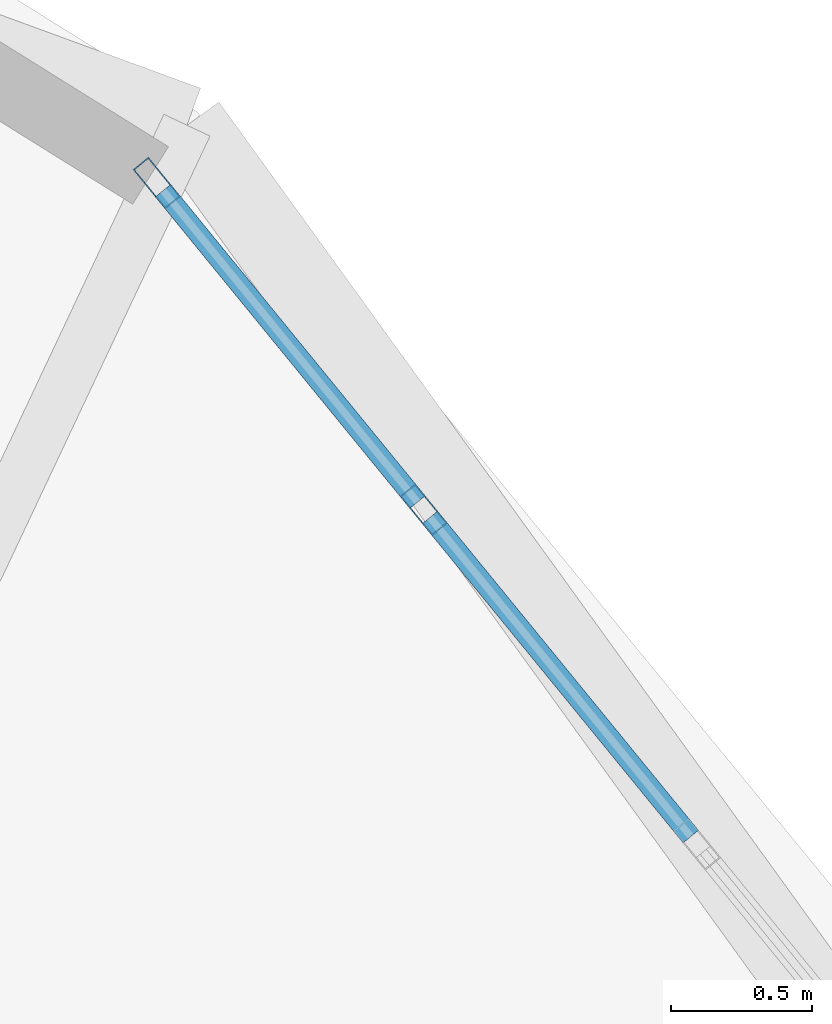
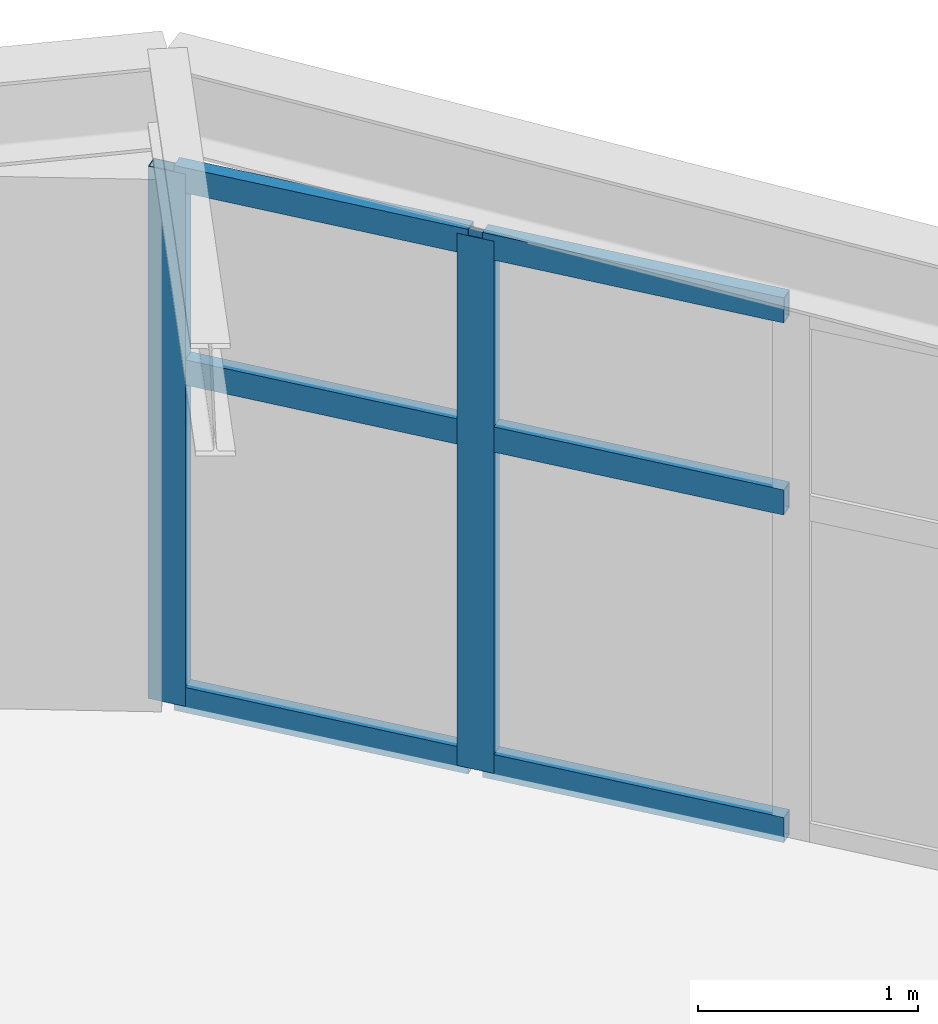
# One storey, part 5 of 17: 8 members, 1 element without a shape of its own.
"""IFC4 building model written with IfcOpenShell, lengths in metres."""

from ifc_helpers import new_model, si_unit, direction, frame, origin, origin_2d, place, context, subcontext, project, spatial, hollow_rectangle, extrude, material, layer, layer_set, material_profile, profile_set, type_object, element, aggregate, save


model = new_model("IFC4")

# Units and contexts
model_context = context("Model", 3, precision=1e-05, world=origin(), true_north=direction((0.0, 1.0)))
body_context = subcontext(model_context, "Body", "Model", "MODEL_VIEW")
ifc_project = project(units=[si_unit("LENGTHUNIT", "METRE"), si_unit("AREAUNIT", "SQUARE_METRE"), si_unit("VOLUMEUNIT", "CUBIC_METRE"), si_unit("PLANEANGLEUNIT", "RADIAN"), si_unit("MASSUNIT", "GRAM", prefix="KILO")], contexts=[model_context])

# Site, building, storey
site_placement = place(None, origin())
site = spatial("IfcSite", under=ifc_project, at=site_placement, CompositionType="ELEMENT")
building_placement = place(site_placement, origin())
building = spatial("IfcBuilding", under=site, at=building_placement, Name="Cununo Teusaquillo Station Towers", CompositionType="ELEMENT")
storey_placement = place(building_placement, frame((0.0, 0.0, 125.43994140625)))
storey = spatial("IfcBuildingStorey", under=building, at=storey_placement, Name="L40", CompositionType="ELEMENT", Elevation=125.43994140625)

# Curtain wall, members
ifc_material_1 = material(Name="Ceramic-fritted dark low-E double glazing", Category="glass")
ifc_layer = layer(ifc_material_1, 0.179931640625)
ifc_layer_set = layer_set([ifc_layer], Name="Ceramic-fritted dark low-E double glazing")
curtain_wall_type = type_object("IfcCurtainWallType", Name="CW-SYS-04", PredefinedType="USERDEFINED", material=ifc_layer_set)
curtain_wall_placement = place(storey_placement, origin())
curtain_wall = element("IfcCurtainWall", 1, at=curtain_wall_placement, inside=storey, type_object=curtain_wall_type, Name="L40 Tower A Facade Curtain Wall C02", ObjectType="FRITTED GLAZING", PredefinedType="USERDEFINED")
ifc_material_2 = material(Name="Anodised dark bronze aluminium EN AW-6063-T6", Category="aluminium")
ifc_material_profile_1 = material_profile(ifc_material_2, hollow_rectangle(XDim=0.070068359375, YDim=0.179931640625, WallThickness=0.00390625, at=origin_2d()), Name="CW-MULL-70x180")
ifc_profile_set_1 = profile_set([ifc_material_profile_1], Name="Anodised dark bronze aluminium EN AW-6063-T6")
member_type_1 = type_object("IfcMemberType", Name="CWM-180", PredefinedType="MULLION", material=ifc_profile_set_1)
member_1_placement = place(storey_placement, frame((25.680419921875, 39.90087890625, 0.0), z_axis=(0.0, 0.0, 1.0), x_axis=(0.774394127889, 0.63270351247, 0.0)))
member_1 = element("IfcMember", 2, at=member_1_placement, type_object=member_type_1, Name="CW-04 mullion 1", PredefinedType="MULLION", context=body_context, shape_type="SweptSolid", body=[
    extrude(hollow_rectangle(XDim=0.070068359375, YDim=0.179931640625, WallThickness=0.00390625, at=origin_2d()), origin(), (0.0, 0.0, 1.0), 2.948974609375),
])
member_2_placement = place(storey_placement, frame((26.6279296875, 38.7412109375, 0.0), z_axis=(0.0, 0.0, 1.0), x_axis=(0.774394127889, 0.63270351247, 0.0)))
member_2 = element("IfcMember", 3, at=member_2_placement, type_object=member_type_1, Name="CW-04 mullion 2", PredefinedType="MULLION", context=body_context, shape_type="SweptSolid", body=[
    extrude(hollow_rectangle(XDim=0.070068359375, YDim=0.179931640625, WallThickness=0.00390625, at=origin_2d()), origin(), (0.0, 0.0, 1.0), 2.948974609375),
])
ifc_material_3 = material(Name="Anodised dark bronze aluminium EN AW-6063-T6", Category="aluminium")
ifc_material_profile_2 = material_profile(ifc_material_3, hollow_rectangle(XDim=0.070068359375, YDim=0.139892578125, WallThickness=0.00390625, at=origin_2d()), Name="CW-TRAN-70x140")
ifc_profile_set_2 = profile_set([ifc_material_profile_2], Name="Anodised dark bronze aluminium EN AW-6063-T6")
member_type_2 = type_object("IfcMemberType", Name="CWT-140", PredefinedType="USERDEFINED", material=ifc_profile_set_2)
member_3_placement = place(storey_placement, frame((25.70263671875, 39.873779296875, 0.03515625), z_axis=(0.632753407608, -0.774353359365, 0.0), x_axis=(0.774353359365, 0.632753407608, 0.0)))
member_3 = element("IfcMember", 4, at=member_3_placement, type_object=member_type_2, Name="CW-04 transom 1.1", ObjectType="TRANSOM", PredefinedType="USERDEFINED", context=body_context, shape_type="SweptSolid", body=[
    extrude(hollow_rectangle(XDim=0.070068359375, YDim=0.139892578125, WallThickness=0.00390625, at=origin_2d()), origin(), (0.0, 0.0, 1.0), 1.427490234375),
])
member_4_placement = place(storey_placement, frame((25.70263671875, 39.873779296875, 1.85009765625), z_axis=(0.632753407608, -0.774353359365, 0.0), x_axis=(0.774353359365, 0.632753407608, 0.0)))
member_4 = element("IfcMember", 5, at=member_4_placement, type_object=member_type_2, Name="CW-04 transom 1.2", ObjectType="TRANSOM", PredefinedType="USERDEFINED", context=body_context, shape_type="SweptSolid", body=[
    extrude(hollow_rectangle(XDim=0.070068359375, YDim=0.139892578125, WallThickness=0.00390625, at=origin_2d()), origin(), (0.0, 0.0, 1.0), 1.427490234375),
])
member_5_placement = place(storey_placement, frame((25.70263671875, 39.873779296875, 2.9140625), z_axis=(0.632753407608, -0.774353359365, 0.0), x_axis=(0.774353359365, 0.632753407608, 0.0)))
member_5 = element("IfcMember", 6, at=member_5_placement, type_object=member_type_2, Name="CW-04 transom 1.3", ObjectType="TRANSOM", PredefinedType="USERDEFINED", context=body_context, shape_type="SweptSolid", body=[
    extrude(hollow_rectangle(XDim=0.070068359375, YDim=0.139892578125, WallThickness=0.00390625, at=origin_2d()), origin(), (0.0, 0.0, 1.0), 1.427490234375),
])
member_6_placement = place(storey_placement, frame((26.650146484375, 38.714111328125, 0.03515625), z_axis=(0.632701424025, -0.774395834207, 0.0), x_axis=(0.774395834207, 0.632701424025, 0.0)))
member_6 = element("IfcMember", 7, at=member_6_placement, type_object=member_type_2, Name="CW-04 transom 2.1", ObjectType="TRANSOM", PredefinedType="USERDEFINED", context=body_context, shape_type="SweptSolid", body=[
    extrude(hollow_rectangle(XDim=0.070068359375, YDim=0.139892578125, WallThickness=0.00390625, at=origin_2d()), origin(), (0.0, 0.0, 1.0), 1.462890625),
])
member_7_placement = place(storey_placement, frame((26.650146484375, 38.714111328125, 1.85009765625), z_axis=(0.632701424025, -0.774395834207, 0.0), x_axis=(0.774395834207, 0.632701424025, 0.0)))
member_7 = element("IfcMember", 8, at=member_7_placement, type_object=member_type_2, Name="CW-04 transom 2.2", ObjectType="TRANSOM", PredefinedType="USERDEFINED", context=body_context, shape_type="SweptSolid", body=[
    extrude(hollow_rectangle(XDim=0.070068359375, YDim=0.139892578125, WallThickness=0.00390625, at=origin_2d()), origin(), (0.0, 0.0, 1.0), 1.462890625),
])
member_8_placement = place(storey_placement, frame((26.650146484375, 38.714111328125, 2.9140625), z_axis=(0.632701424025, -0.774395834207, 0.0), x_axis=(0.774395834207, 0.632701424025, 0.0)))
member_8 = element("IfcMember", 9, at=member_8_placement, type_object=member_type_2, Name="CW-04 transom 2.3", ObjectType="TRANSOM", PredefinedType="USERDEFINED", context=body_context, shape_type="SweptSolid", body=[
    extrude(hollow_rectangle(XDim=0.070068359375, YDim=0.139892578125, WallThickness=0.00390625, at=origin_2d()), origin(), (0.0, 0.0, 1.0), 1.462890625),
])
aggregate(curtain_wall, [member_1, member_2, member_3, member_4, member_5, member_6, member_7, member_8])

save(model, "model.ifc")
